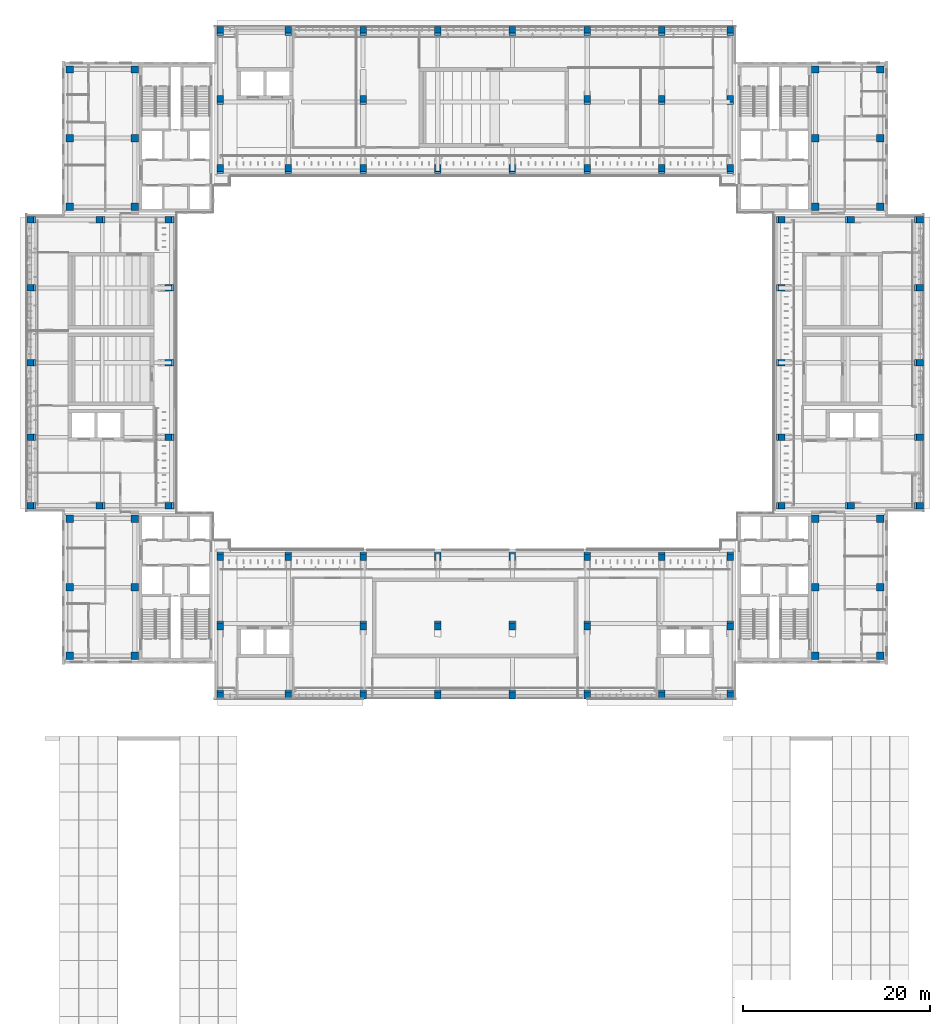
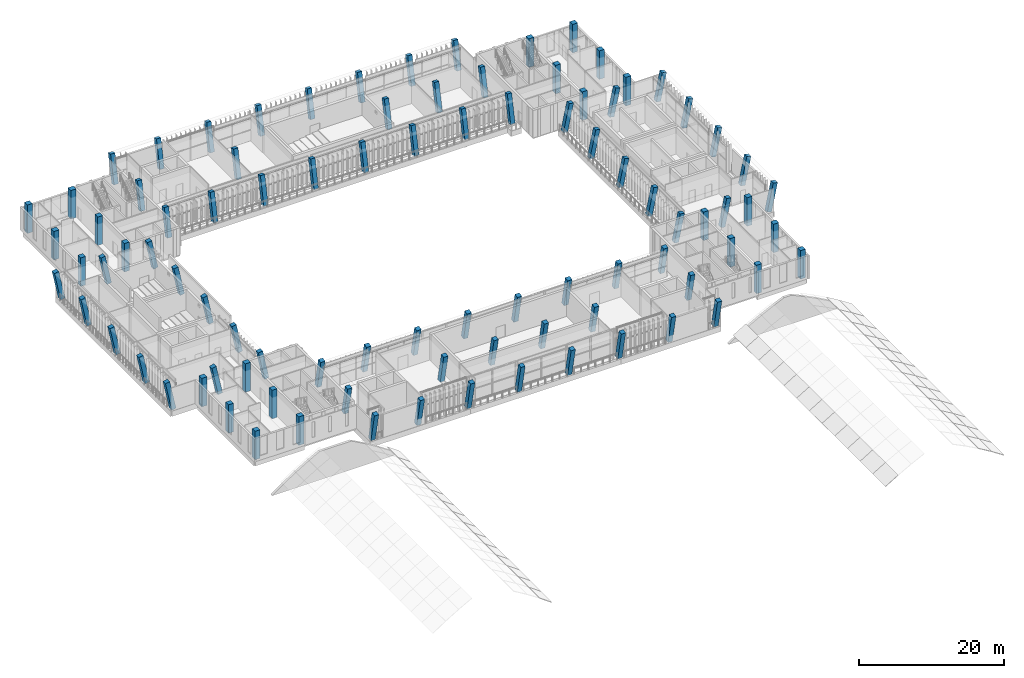
# One storey, part 1 of 74: 91 columns.
"""IFC4 building model written with IfcOpenShell, lengths in metres."""

from ifc_helpers import new_model, si_unit, direction, frame, origin, origin_2d, place, context, subcontext, project, spatial, rectangle, extrude, material, material_profile, profile_set, type_object, element, save


model = new_model("IFC4")

# Units and contexts
model_context = context("Model", 3, precision=1e-05, world=origin(), true_north=direction((0.0, 1.0)))
body_context = subcontext(model_context, "Body", "Model", "MODEL_VIEW")
ifc_project = project(units=[si_unit("LENGTHUNIT", "METRE"), si_unit("AREAUNIT", "SQUARE_METRE"), si_unit("VOLUMEUNIT", "CUBIC_METRE"), si_unit("PLANEANGLEUNIT", "RADIAN"), si_unit("MASSUNIT", "GRAM", prefix="KILO")], contexts=[model_context])

# Site, building, storey
site_placement = place(None, origin())
site = spatial("IfcSite", under=ifc_project, at=site_placement, CompositionType="ELEMENT")
building_placement = place(site_placement, origin())
building = spatial("IfcBuilding", under=site, at=building_placement, Name="Lantern Court Media Centre", CompositionType="ELEMENT")
storey_placement = place(building_placement, frame((0.0, 0.0, 19.199951171875)))
storey = spatial("IfcBuildingStorey", under=building, at=storey_placement, Name="L04", CompositionType="ELEMENT", Elevation=19.199951171875)

# Columns
ifc_material = material(Name="Concrete C35", Category="concrete")
ifc_material_profile_1 = material_profile(ifc_material, rectangle(XDim=0.699951171875, YDim=0.699951171875, at=origin_2d()), Name="RC 700x700")
ifc_profile_set_1 = profile_set([ifc_material_profile_1], Name="Concrete C35")
column_type_1 = type_object("IfcColumnType", Name="RC COLUMN 700x700", PredefinedType="COLUMN", material=ifc_profile_set_1)
for number, where, z_axis, x_axis, name in (
    (1, (24.699951171875, 44.60009765625, 0.0), (0.0, -0.203952265704, 0.978980833987), (1.0, 0.0, 0.0), "C-S-0-0-L04"),
    (2, (32.0, 44.60009765625, 0.0), (0.0, -0.203952265704, 0.978980833987), (1.0, 0.0, 0.0), "C-S-0-1-L04"),
    (3, (40.0, 44.60009765625, 0.0), (0.0, -0.203952265704, 0.978980833987), (1.0, 0.0, 0.0), "C-S-0-2-L04"),
    (4, (48.0, 44.60009765625, 0.0), (0.0, -0.203952265704, 0.978980833987), (1.0, 0.0, 0.0), "C-S-0-3-L04"),
    (5, (56.0, 44.60009765625, 0.0), (0.0, -0.203952265704, 0.978980833987), (1.0, 0.0, 0.0), "C-S-0-4-L04"),
    (6, (64.0, 44.60009765625, 0.0), (0.0, -0.203952265704, 0.978980833987), (1.0, 0.0, 0.0), "C-S-0-5-L04"),
    (7, (72.0, 44.60009765625, 0.0), (0.0, -0.203952265704, 0.978980833987), (1.0, 0.0, 0.0), "C-S-0-6-L04"),
    (8, (79.300048828125, 44.60009765625, 0.0), (0.0, -0.203952265704, 0.978980833987), (1.0, 0.0, 0.0), "C-S-0-7-L04"),
    (9, (24.699951171875, 52.0, 0.0), (0.0, -0.203952265704, 0.978980833987), (1.0, 0.0, 0.0), "C-S-1-0-L04"),
    (10, (40.0, 52.0, 0.0), (0.0, -0.203952265704, 0.978980833987), (1.0, 0.0, 0.0), "C-S-1-2-L04"),
    (11, (48.0, 52.0, 0.0), (0.0, -0.203952265704, 0.978980833987), (1.0, 0.0, 0.0), "C-S-1-3-L04"),
    (12, (56.0, 52.0, 0.0), (0.0, -0.203952265704, 0.978980833987), (1.0, 0.0, 0.0), "C-S-1-4-L04"),
    (13, (64.0, 52.0, 0.0), (0.0, -0.203952265704, 0.978980833987), (1.0, 0.0, 0.0), "C-S-1-5-L04"),
    (14, (79.300048828125, 52.0, 0.0), (0.0, -0.203952265704, 0.978980833987), (1.0, 0.0, 0.0), "C-S-1-7-L04"),
    (15, (24.699951171875, 59.39990234375, 0.0), (0.0, -0.203952265704, 0.978980833987), (1.0, 0.0, 0.0), "C-S-2-0-L04"),
    (16, (32.0, 59.39990234375, 0.0), (0.0, -0.203952265704, 0.978980833987), (1.0, 0.0, 0.0), "C-S-2-1-L04"),
    (17, (40.0, 59.39990234375, 0.0), (0.0, -0.203952265704, 0.978980833987), (1.0, 0.0, 0.0), "C-S-2-2-L04"),
    (18, (48.0, 59.39990234375, 0.0), (0.0, -0.203952265704, 0.978980833987), (1.0, 0.0, 0.0), "C-S-2-3-L04"),
    (19, (56.0, 59.39990234375, 0.0), (0.0, -0.203952265704, 0.978980833987), (1.0, 0.0, 0.0), "C-S-2-4-L04"),
    (20, (64.0, 59.39990234375, 0.0), (0.0, -0.203952265704, 0.978980833987), (1.0, 0.0, 0.0), "C-S-2-5-L04"),
    (21, (72.0, 59.39990234375, 0.0), (0.0, -0.203952265704, 0.978980833987), (1.0, 0.0, 0.0), "C-S-2-6-L04"),
    (22, (79.300048828125, 59.39990234375, 0.0), (0.0, -0.203952265704, 0.978980833987), (1.0, 0.0, 0.0), "C-S-2-7-L04"),
):
    element("IfcColumn", number, at=place(storey_placement, frame(where, z_axis=z_axis, x_axis=x_axis)), inside=storey, type_object=column_type_1, Name=name, PredefinedType="COLUMN", context=body_context, shape_type="SweptSolid", body=[
        extrude(rectangle(XDim=0.699951171875, YDim=0.699951171875, at=origin_2d()), origin(), (0.0, 0.0, 1.0), 4.903076171875),
    ])
for number, where, z_axis, x_axis, name in (
    (23, (24.699951171875, 100.60009765625, 0.0), (0.0, 0.203937582782, 0.978983892783), (-1.0, 0.0, 0.0), "C-N-0-0-L04"),
    (24, (32.0, 100.60009765625, 0.0), (0.0, 0.203937582782, 0.978983892783), (-1.0, 0.0, 0.0), "C-N-0-1-L04"),
    (25, (40.0, 100.60009765625, 0.0), (0.0, 0.203937582782, 0.978983892783), (-1.0, 0.0, 0.0), "C-N-0-2-L04"),
    (26, (48.0, 100.60009765625, 0.0), (0.0, 0.203937582782, 0.978983892783), (-1.0, 0.0, 0.0), "C-N-0-3-L04"),
    (27, (56.0, 100.60009765625, 0.0), (0.0, 0.203937582782, 0.978983892783), (-1.0, 0.0, 0.0), "C-N-0-4-L04"),
    (28, (64.0, 100.60009765625, 0.0), (0.0, 0.203937582782, 0.978983892783), (-1.0, 0.0, 0.0), "C-N-0-5-L04"),
    (29, (72.0, 100.60009765625, 0.0), (0.0, 0.203937582782, 0.978983892783), (-1.0, 0.0, 0.0), "C-N-0-6-L04"),
    (30, (79.300048828125, 100.60009765625, 0.0), (0.0, 0.203937582782, 0.978983892783), (-1.0, 0.0, 0.0), "C-N-0-7-L04"),
    (31, (24.699951171875, 108.0, 0.0), (0.0, 0.203937582782, 0.978983892783), (-1.0, 0.0, 0.0), "C-N-1-0-L04"),
    (32, (40.0, 108.0, 0.0), (0.0, 0.203937582782, 0.978983892783), (-1.0, 0.0, 0.0), "C-N-1-2-L04"),
    (33, (64.0, 108.0, 0.0), (0.0, 0.203937582782, 0.978983892783), (-1.0, 0.0, 0.0), "C-N-1-5-L04"),
    (34, (72.0, 108.0, 0.0), (0.0, 0.203937582782, 0.978983892783), (-1.0, 0.0, 0.0), "C-N-1-6-L04"),
    (35, (79.300048828125, 108.0, 0.0), (0.0, 0.203937582782, 0.978983892783), (-1.0, 0.0, 0.0), "C-N-1-7-L04"),
    (36, (24.699951171875, 115.39990234375, 0.0), (0.0, 0.203987596239, 0.978973472869), (-1.0, 0.0, 0.0), "C-N-2-0-L04"),
    (37, (32.0, 115.39990234375, 0.0), (0.0, 0.203987596239, 0.978973472869), (-1.0, 0.0, 0.0), "C-N-2-1-L04"),
    (38, (40.0, 115.39990234375, 0.0), (0.0, 0.203987596239, 0.978973472869), (-1.0, 0.0, 0.0), "C-N-2-2-L04"),
    (39, (48.0, 115.39990234375, 0.0), (0.0, 0.203987596239, 0.978973472869), (-1.0, 0.0, 0.0), "C-N-2-3-L04"),
    (40, (56.0, 115.39990234375, 0.0), (0.0, 0.203987596239, 0.978973472869), (-1.0, 0.0, 0.0), "C-N-2-4-L04"),
    (41, (64.0, 115.39990234375, 0.0), (0.0, 0.203987596239, 0.978973472869), (-1.0, 0.0, 0.0), "C-N-2-5-L04"),
    (42, (72.0, 115.39990234375, 0.0), (0.0, 0.203987596239, 0.978973472869), (-1.0, 0.0, 0.0), "C-N-2-6-L04"),
    (43, (79.300048828125, 115.39990234375, 0.0), (0.0, 0.203987596239, 0.978973472869), (-1.0, 0.0, 0.0), "C-N-2-7-L04"),
):
    element("IfcColumn", number, at=place(storey_placement, frame(where, z_axis=z_axis, x_axis=x_axis)), inside=storey, type_object=column_type_1, Name=name, PredefinedType="COLUMN", context=body_context, shape_type="SweptSolid", body=[
        extrude(rectangle(XDim=0.699951171875, YDim=0.699951171875, at=origin_2d()), origin(), (0.0, 0.0, 1.0), 4.678466796875),
    ])
for number, where, z_axis, x_axis, name in (
    (44, (4.60009765625, 64.699951171875, 0.0), (-0.203952265704, 0.0, 0.978980833987), (0.0, -1.0, 0.0), "C-W-0-0-L04"),
    (45, (4.60009765625, 72.0, 0.0), (-0.203952265704, 0.0, 0.978980833987), (0.0, -1.0, 0.0), "C-W-0-1-L04"),
    (46, (4.60009765625, 80.0, 0.0), (-0.203952265704, 0.0, 0.978980833987), (0.0, -1.0, 0.0), "C-W-0-2-L04"),
    (47, (4.60009765625, 88.0, 0.0), (-0.203952265704, 0.0, 0.978980833987), (0.0, -1.0, 0.0), "C-W-0-3-L04"),
    (48, (4.60009765625, 95.300048828125, 0.0), (-0.203952265704, 0.0, 0.978980833987), (0.0, -1.0, 0.0), "C-W-0-4-L04"),
    (49, (12.0, 64.699951171875, 0.0), (-0.203952265704, 0.0, 0.978980833987), (0.0, -1.0, 0.0), "C-W-1-0-L04"),
    (50, (12.0, 95.300048828125, 0.0), (-0.203952265704, 0.0, 0.978980833987), (0.0, -1.0, 0.0), "C-W-1-4-L04"),
    (51, (19.39990234375, 64.699951171875, 0.0), (-0.203952265704, 0.0, 0.978980833987), (0.0, -1.0, 0.0), "C-W-2-0-L04"),
    (52, (19.39990234375, 72.0, 0.0), (-0.203952265704, 0.0, 0.978980833987), (0.0, -1.0, 0.0), "C-W-2-1-L04"),
    (53, (19.39990234375, 80.0, 0.0), (-0.203952265704, 0.0, 0.978980833987), (0.0, -1.0, 0.0), "C-W-2-2-L04"),
    (54, (19.39990234375, 88.0, 0.0), (-0.203952265704, 0.0, 0.978980833987), (0.0, -1.0, 0.0), "C-W-2-3-L04"),
    (55, (19.39990234375, 95.300048828125, 0.0), (-0.203952265704, 0.0, 0.978980833987), (0.0, -1.0, 0.0), "C-W-2-4-L04"),
):
    element("IfcColumn", number, at=place(storey_placement, frame(where, z_axis=z_axis, x_axis=x_axis)), inside=storey, type_object=column_type_1, Name=name, PredefinedType="COLUMN", context=body_context, shape_type="SweptSolid", body=[
        extrude(rectangle(XDim=0.699951171875, YDim=0.699951171875, at=origin_2d()), origin(), (0.0, 0.0, 1.0), 4.903076171875),
    ])
for number, where, z_axis, x_axis, name in (
    (56, (84.60009765625, 64.699951171875, 0.0), (0.203937582782, 0.0, 0.978983892783), (0.0, 1.0, 0.0), "C-E-0-0-L04"),
    (57, (84.60009765625, 72.0, 0.0), (0.203937582782, 0.0, 0.978983892783), (0.0, 1.0, 0.0), "C-E-0-1-L04"),
    (58, (84.60009765625, 80.0, 0.0), (0.203937582782, 0.0, 0.978983892783), (0.0, 1.0, 0.0), "C-E-0-2-L04"),
    (59, (84.60009765625, 88.0, 0.0), (0.203937582782, 0.0, 0.978983892783), (0.0, 1.0, 0.0), "C-E-0-3-L04"),
    (60, (84.60009765625, 95.300048828125, 0.0), (0.203937582782, 0.0, 0.978983892783), (0.0, 1.0, 0.0), "C-E-0-4-L04"),
    (61, (92.0, 64.699951171875, 0.0), (0.203937582782, 0.0, 0.978983892783), (0.0, 1.0, 0.0), "C-E-1-0-L04"),
    (62, (92.0, 95.300048828125, 0.0), (0.203937582782, 0.0, 0.978983892783), (0.0, 1.0, 0.0), "C-E-1-4-L04"),
    (63, (99.39990234375, 64.699951171875, 0.0), (0.203987596239, 0.0, 0.978973472869), (0.0, 1.0, 0.0), "C-E-2-0-L04"),
    (64, (99.39990234375, 72.0, 0.0), (0.203987596239, 0.0, 0.978973472869), (0.0, 1.0, 0.0), "C-E-2-1-L04"),
    (65, (99.39990234375, 80.0, 0.0), (0.203987596239, 0.0, 0.978973472869), (0.0, 1.0, 0.0), "C-E-2-2-L04"),
    (66, (99.39990234375, 88.0, 0.0), (0.203987596239, 0.0, 0.978973472869), (0.0, 1.0, 0.0), "C-E-2-3-L04"),
    (67, (99.39990234375, 95.300048828125, 0.0), (0.203987596239, 0.0, 0.978973472869), (0.0, 1.0, 0.0), "C-E-2-4-L04"),
):
    element("IfcColumn", number, at=place(storey_placement, frame(where, z_axis=z_axis, x_axis=x_axis)), inside=storey, type_object=column_type_1, Name=name, PredefinedType="COLUMN", context=body_context, shape_type="SweptSolid", body=[
        extrude(rectangle(XDim=0.699951171875, YDim=0.699951171875, at=origin_2d()), origin(), (0.0, 0.0, 1.0), 4.678466796875),
    ])
ifc_material_profile_2 = material_profile(ifc_material, rectangle(XDim=0.800048828125, YDim=0.800048828125, at=origin_2d()), Name="RC 800x800")
ifc_profile_set_2 = profile_set([ifc_material_profile_2], Name="Concrete C35")
column_type_2 = type_object("IfcColumnType", Name="RC COLUMN 800x800", PredefinedType="COLUMN", material=ifc_profile_set_2)
for number, where, z_axis, x_axis, name in (
    (68, (8.60009765625, 48.60009765625, 0.0), (0.0, 0.0, 1.0), (1.0, 0.0, 0.0), "C-SW-0-L04"),
    (69, (8.60009765625, 55.949951171875, 0.0), (0.0, 0.0, 1.0), (1.0, 0.0, 0.0), "C-SW-1-L04"),
    (70, (8.60009765625, 63.300048828125, 0.0), (0.0, 0.0, 1.0), (1.0, 0.0, 0.0), "C-SW-2-L04"),
    (71, (15.550048828125, 48.60009765625, 0.0), (0.0, 0.0, 1.0), (1.0, 0.0, 0.0), "C-SW-3-L04"),
    (72, (15.550048828125, 55.949951171875, 0.0), (0.0, 0.0, 1.0), (1.0, 0.0, 0.0), "C-SW-4-L04"),
    (73, (15.550048828125, 63.300048828125, 0.0), (0.0, 0.0, 1.0), (1.0, 0.0, 0.0), "C-SW-5-L04"),
    (74, (88.449951171875, 48.60009765625, 0.0), (0.0, 0.0, 1.0), (1.0, 0.0, 0.0), "C-SE-0-L04"),
    (75, (88.449951171875, 55.949951171875, 0.0), (0.0, 0.0, 1.0), (1.0, 0.0, 0.0), "C-SE-1-L04"),
    (76, (88.449951171875, 63.300048828125, 0.0), (0.0, 0.0, 1.0), (1.0, 0.0, 0.0), "C-SE-2-L04"),
    (77, (95.39990234375, 48.60009765625, 0.0), (0.0, 0.0, 1.0), (1.0, 0.0, 0.0), "C-SE-3-L04"),
    (78, (95.39990234375, 55.949951171875, 0.0), (0.0, 0.0, 1.0), (1.0, 0.0, 0.0), "C-SE-4-L04"),
    (79, (95.39990234375, 63.300048828125, 0.0), (0.0, 0.0, 1.0), (1.0, 0.0, 0.0), "C-SE-5-L04"),
    (80, (8.60009765625, 96.699951171875, 0.0), (0.0, 0.0, 1.0), (1.0, 0.0, 0.0), "C-NW-0-L04"),
    (81, (8.60009765625, 104.050048828125, 0.0), (0.0, 0.0, 1.0), (1.0, 0.0, 0.0), "C-NW-1-L04"),
    (82, (8.60009765625, 111.39990234375, 0.0), (0.0, 0.0, 1.0), (1.0, 0.0, 0.0), "C-NW-2-L04"),
    (83, (15.550048828125, 96.699951171875, 0.0), (0.0, 0.0, 1.0), (1.0, 0.0, 0.0), "C-NW-3-L04"),
    (84, (15.550048828125, 104.050048828125, 0.0), (0.0, 0.0, 1.0), (1.0, 0.0, 0.0), "C-NW-4-L04"),
    (85, (15.550048828125, 111.39990234375, 0.0), (0.0, 0.0, 1.0), (1.0, 0.0, 0.0), "C-NW-5-L04"),
    (86, (88.449951171875, 96.699951171875, 0.0), (0.0, 0.0, 1.0), (1.0, 0.0, 0.0), "C-NE-0-L04"),
    (87, (88.449951171875, 104.050048828125, 0.0), (0.0, 0.0, 1.0), (1.0, 0.0, 0.0), "C-NE-1-L04"),
    (88, (88.449951171875, 111.39990234375, 0.0), (0.0, 0.0, 1.0), (1.0, 0.0, 0.0), "C-NE-2-L04"),
    (89, (95.39990234375, 96.699951171875, 0.0), (0.0, 0.0, 1.0), (1.0, 0.0, 0.0), "C-NE-3-L04"),
    (90, (95.39990234375, 104.050048828125, 0.0), (0.0, 0.0, 1.0), (1.0, 0.0, 0.0), "C-NE-4-L04"),
    (91, (95.39990234375, 111.39990234375, 0.0), (0.0, 0.0, 1.0), (1.0, 0.0, 0.0), "C-NE-5-L04"),
):
    element("IfcColumn", number, at=place(storey_placement, frame(where, z_axis=z_axis, x_axis=x_axis)), inside=storey, type_object=column_type_2, Name=name, PredefinedType="COLUMN", context=body_context, shape_type="SweptSolid", body=[
        extrude(rectangle(XDim=0.800048828125, YDim=0.800048828125, at=origin_2d()), origin(), (0.0, 0.0, 1.0), 4.800048828125),
    ])

save(model, "model.ifc")
